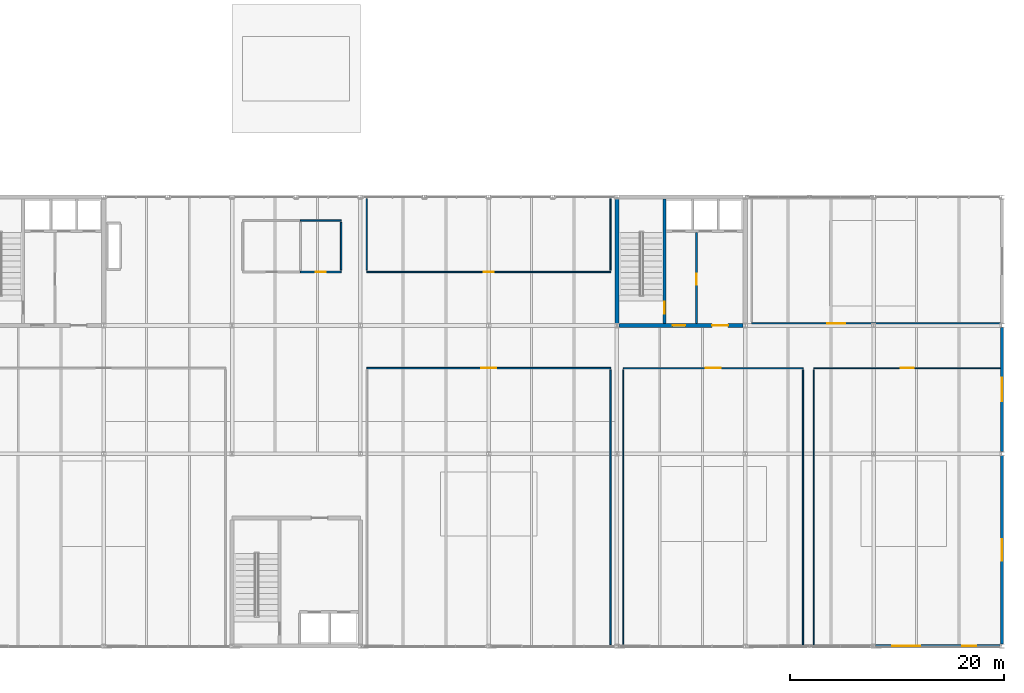
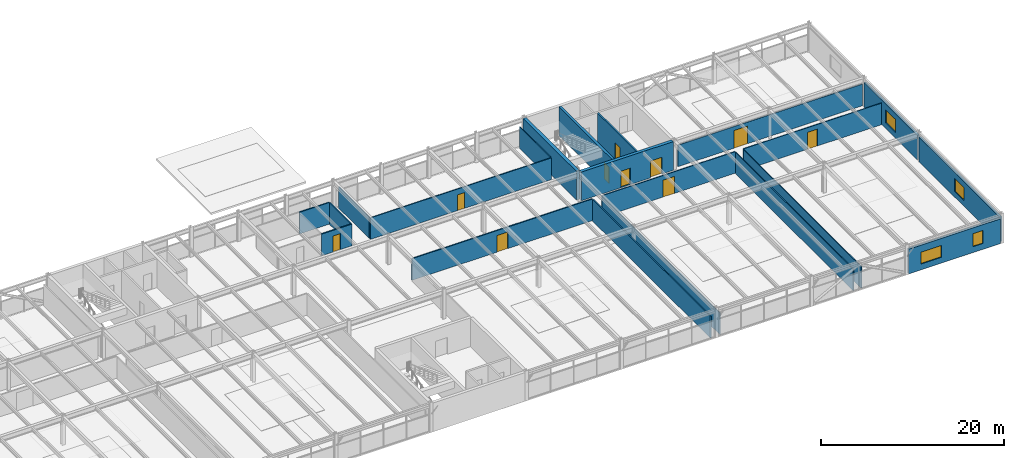
# One storey, part 42 of 49: 21 walls, 10 doors, 4 windows, 14 openings.
"""IFC4 building model written with IfcOpenShell, lengths in metres."""

from ifc_helpers import new_model, si_unit, direction, frame, frame_2d, origin, place, context, subcontext, project, spatial, rectangle, extrude, material, layer, layer_set, type_object, element, fill, save


model = new_model("IFC4")

# Units and contexts
model_context = context("Model", 3, precision=1e-05, world=origin(), true_north=direction((0.0, 1.0)))
body_context = subcontext(model_context, "Body", "Model", "MODEL_VIEW")
ifc_project = project(units=[si_unit("LENGTHUNIT", "METRE"), si_unit("AREAUNIT", "SQUARE_METRE"), si_unit("VOLUMEUNIT", "CUBIC_METRE"), si_unit("PLANEANGLEUNIT", "RADIAN"), si_unit("MASSUNIT", "GRAM", prefix="KILO")], contexts=[model_context])

# Site, building, storey
site_placement = place(None, origin())
site = spatial("IfcSite", under=ifc_project, at=site_placement, CompositionType="ELEMENT")
building_placement = place(site_placement, origin())
building = spatial("IfcBuilding", under=site, at=building_placement, Name="Girod Span Mobility Hub", CompositionType="ELEMENT")
storey_placement = place(building_placement, frame((0.0, 0.0, 37.60009765625)))
storey = spatial("IfcBuildingStorey", under=building, at=storey_placement, Name="L09", CompositionType="ELEMENT", Elevation=37.60009765625)

# Wall, openings, doors
ifc_material_1 = material(Name="Concrete C40/50", Category="concrete")
ifc_layer_1 = layer(ifc_material_1, 0.39990234375)
ifc_layer_set_1 = layer_set([ifc_layer_1], Name="Concrete C40/50")
wall_type_1 = type_object("IfcWallType", Name="W-CW-400", PredefinedType="SHEAR", material=ifc_layer_set_1)
wall_1_placement = place(storey_placement, frame((108.196533203125, 57.0, 0.0), z_axis=(0.0, 0.0, 1.0), x_axis=(1.0, 0.0, 0.0)))
wall_1 = element("IfcWall", 1, at=wall_1_placement, inside=storey, type_object=wall_type_1, Name="Core C2 Shear Wall S L09", PredefinedType="SHEAR", context=body_context, shape_type="SweptSolid", body=[
    extrude(rectangle(XDim=11.60693359375, YDim=0.39990234375, at=frame_2d((5.803466796875, 0.0))), origin(), (0.0, 0.0, 1.0), 3.837890625),
])
opening_1_placement = place(wall_1_placement, frame((5.00390625, 0.0, 0.0)))
opening_1 = element("IfcOpeningElement", 2, at=opening_1_placement, cuts=wall_1, Name="Opening D-FL-C2-L09", PredefinedType="OPENING", context=body_context, shape_type="SweptSolid", body=[
    extrude(rectangle(XDim=1.199951171875, YDim=2.199951171875, at=frame_2d((0.60009765625, 1.10009765625))), frame((0.0, 0.21484375, 0.0), z_axis=(0.0, -1.0, 0.0), x_axis=(1.0, 0.0, 0.0)), (0.0, 0.0, 1.0), 0.429931640625),
])
opening_2_placement = place(wall_1_placement, frame((8.7041015625, 0.0, 0.0)))
opening_2 = element("IfcOpeningElement", 3, at=opening_2_placement, cuts=wall_1, Name="Opening D-LB-C2-L09", PredefinedType="OPENING", context=body_context, shape_type="SweptSolid", body=[
    extrude(rectangle(XDim=1.5, YDim=2.25, at=frame_2d((0.75, 1.125))), frame((0.0, 0.21484375, 0.0), z_axis=(0.0, -1.0, 0.0), x_axis=(1.0, 0.0, 0.0)), (0.0, 0.0, 1.0), 0.429931640625),
])
ifc_material_2 = material(Name="Fire-Rated Insulated Hollow Metal Steel", Category="steel")
door_type_1 = type_object("IfcDoorType", Name="DT-FD-03", OperationType="DOUBLE_DOOR_SINGLE_SWING", PredefinedType="DOOR", material=ifc_material_2)
door_1_placement = place(opening_2_placement, origin())
door_1 = element("IfcDoor", 4, at=door_1_placement, inside=storey, type_object=door_type_1, Name="Lift Lobby Entry Door C2 L09", OperationType="DOUBLE_DOOR_SINGLE_SWING", OverallHeight=2.25, OverallWidth=1.5, PredefinedType="DOOR", context=body_context, shape_type="SweptSolid", body=[
    extrude(rectangle(XDim=1.5, YDim=2.25, at=frame_2d((0.75, 1.125))), frame((0.0, 0.02490234375, 0.0), z_axis=(0.0, -1.0, 0.0), x_axis=(1.0, 0.0, 0.0)), (0.0, 0.0, 1.0), 0.050048828125),
])
fill(opening_2, door_1)
ifc_material_3 = material(Name="Fire-Rated Insulated Hollow Metal Steel", Category="steel")
door_type_2 = type_object("IfcDoorType", Name="DT-FD-05", OperationType="NOTDEFINED", PredefinedType="DOOR", material=ifc_material_3)
door_2_placement = place(opening_1_placement, origin())
door_2 = element("IfcDoor", 5, at=door_2_placement, inside=storey, type_object=door_type_2, Name="Firefighting Lobby Entry Door C2 L09", OperationType="SINGLE_SWING_RIGHT", OverallHeight=2.199951171875, OverallWidth=1.199951171875, PredefinedType="DOOR", context=body_context, shape_type="SweptSolid", body=[
    extrude(rectangle(XDim=1.199951171875, YDim=2.199951171875, at=frame_2d((0.60009765625, 1.10009765625))), frame((0.0, 0.02490234375, 0.0), z_axis=(0.0, -1.0, 0.0), x_axis=(1.0, 0.0, 0.0)), (0.0, 0.0, 1.0), 0.050048828125),
])
fill(opening_1, door_2)

# Wall
wall_2_placement = place(storey_placement, frame((108.0, 57.193603515625, 0.0), z_axis=(0.0, 0.0, 1.0), x_axis=(0.0, 1.0, 0.0)))
element("IfcWall", 6, at=wall_2_placement, inside=storey, type_object=wall_type_1, Name="Core C2 Shear Wall W L09", PredefinedType="SHEAR", context=body_context, shape_type="SweptSolid", body=[
    extrude(rectangle(XDim=11.61279296875, YDim=0.39990234375, at=frame_2d((5.806396484375, 0.0))), origin(), (0.0, 0.0, 1.0), 3.837890625),
])

# Wall, openings, windows
ifc_material_4 = material(Name="Precast Architectural Concrete C40/50", Category="concrete")
ifc_layer_2 = layer(ifc_material_4, 0.27001953125)
ifc_layer_set_2 = layer_set([ifc_layer_2], Name="Precast Architectural Concrete C40/50")
wall_type_2 = type_object("IfcWallType", Name="W-EXT-270", PredefinedType="SOLIDWALL", material=ifc_layer_set_2)
wall_3_placement = place(storey_placement, frame((132.195068359375, 27.0, 0.0), z_axis=(0.0, 0.0, 1.0), x_axis=(1.0, 0.0, 0.0)))
wall_3 = element("IfcWall", 7, at=wall_3_placement, inside=storey, type_object=wall_type_2, Name="Office Insulated Facade Wall S-12 L09", PredefinedType="SOLIDWALL", context=body_context, shape_type="SweptSolid", body=[
    extrude(rectangle(XDim=11.60986328125, YDim=0.27001953125, at=frame_2d((5.804931640625, 0.0))), origin(), (0.0, 0.0, 1.0), 3.291015625),
])
opening_3_placement = place(wall_3_placement, frame((1.5400390625, 0.0, 0.780029296875)))
opening_3 = element("IfcOpeningElement", 8, at=opening_3_placement, cuts=wall_3, Name="Opening W-L09-S11A", PredefinedType="OPENING", context=body_context, shape_type="SweptSolid", body=[
    extrude(rectangle(XDim=2.6201171875, YDim=1.580078125, at=frame_2d((1.31005859375, 0.7900390625))), frame((0.0, 0.14990234375, 0.0), z_axis=(0.0, -1.0, 0.0), x_axis=(1.0, 0.0, 0.0)), (0.0, 0.0, 1.0), 0.300048828125),
])
opening_4_placement = place(wall_3_placement, frame((8.1201171875, 0.0, 0.780029296875)))
opening_4 = element("IfcOpeningElement", 9, at=opening_4_placement, cuts=wall_3, Name="Opening W-L09-S11B", PredefinedType="OPENING", context=body_context, shape_type="SweptSolid", body=[
    extrude(rectangle(XDim=1.280029296875, YDim=1.739990234375, at=frame_2d((0.64013671875, 0.8701171875))), frame((0.0, 0.14990234375, 0.0), z_axis=(0.0, -1.0, 0.0), x_axis=(1.0, 0.0, 0.0)), (0.0, 0.0, 1.0), 0.300048828125),
])
ifc_material_5 = material(Name="Double Low-E Insulated Glazing", Category="glass")
window_type_1 = type_object("IfcWindowType", Name="WN-30", PartitioningType="DOUBLE_PANEL_VERTICAL", PredefinedType="WINDOW", material=ifc_material_5)
window_1_placement = place(opening_3_placement, origin())
window_1 = element("IfcWindow", 10, at=window_1_placement, inside=storey, type_object=window_type_1, Name="Office Window WN-30", OverallHeight=1.580078125, OverallWidth=2.6201171875, PartitioningType="DOUBLE_PANEL_VERTICAL", PredefinedType="WINDOW", context=body_context, shape_type="SweptSolid", body=[
    extrude(rectangle(XDim=2.6201171875, YDim=1.580078125, at=frame_2d((1.31005859375, 0.7900390625))), frame((0.0, 0.030029296875, 0.0), z_axis=(0.0, -1.0, 0.0), x_axis=(1.0, 0.0, 0.0)), (0.0, 0.0, 1.0), 0.06005859375),
])
fill(opening_3, window_1)
ifc_material_6 = material(Name="Double Low-E Insulated Glazing", Category="glass")
window_type_2 = type_object("IfcWindowType", Name="WN-31", PartitioningType="SINGLE_PANEL", PredefinedType="WINDOW", material=ifc_material_6)
window_2_placement = place(opening_4_placement, origin())
window_2 = element("IfcWindow", 11, at=window_2_placement, inside=storey, type_object=window_type_2, Name="Office Window WN-31", OverallHeight=1.739990234375, OverallWidth=1.280029296875, PartitioningType="SINGLE_PANEL", PredefinedType="WINDOW", context=body_context, shape_type="SweptSolid", body=[
    extrude(rectangle(XDim=1.280029296875, YDim=1.739990234375, at=frame_2d((0.64013671875, 0.8701171875))), frame((0.0, 0.030029296875, 0.0), z_axis=(0.0, -1.0, 0.0), x_axis=(1.0, 0.0, 0.0)), (0.0, 0.0, 1.0), 0.06005859375),
])
fill(opening_4, window_2)

# Wall, opening, window
wall_4_placement = place(storey_placement, frame((144.0, 27.185546875, 0.0), z_axis=(0.0, 0.0, 1.0), x_axis=(0.0, 1.0, 0.0)))
wall_4 = element("IfcWall", 12, at=wall_4_placement, inside=storey, type_object=wall_type_2, Name="End Facade Insulated Wall E-C L09", PredefinedType="SOLIDWALL", context=body_context, shape_type="SweptSolid", body=[
    extrude(rectangle(XDim=17.62890625, YDim=0.27001953125, at=frame_2d((8.814453125, 0.0))), origin(), (0.0, 0.0, 1.0), 3.291015625),
])
opening_5_placement = place(wall_4_placement, frame((7.794921875, 0.0, 0.780029296875)))
opening_5 = element("IfcOpeningElement", 13, at=opening_5_placement, cuts=wall_4, Name="Opening W-L09-E2", PredefinedType="OPENING", context=body_context, shape_type="SweptSolid", body=[
    extrude(rectangle(XDim=2.0400390625, YDim=1.739990234375, at=frame_2d((1.02001953125, 0.8701171875))), frame((0.0, 0.14990234375, 0.0), z_axis=(0.0, -1.0, 0.0), x_axis=(1.0, 0.0, 0.0)), (0.0, 0.0, 1.0), 0.300048828125),
])
ifc_material_7 = material(Name="Double Low-E Insulated Glazing", Category="glass")
window_type_3 = type_object("IfcWindowType", Name="WN-35", PartitioningType="DOUBLE_PANEL_VERTICAL", PredefinedType="WINDOW", material=ifc_material_7)
window_3_placement = place(opening_5_placement, origin())
window_3 = element("IfcWindow", 14, at=window_3_placement, inside=storey, type_object=window_type_3, Name="End Office Window WN-35", OverallHeight=1.739990234375, OverallWidth=2.0400390625, PartitioningType="DOUBLE_PANEL_VERTICAL", PredefinedType="WINDOW", context=body_context, shape_type="SweptSolid", body=[
    extrude(rectangle(XDim=2.0400390625, YDim=1.739990234375, at=frame_2d((1.02001953125, 0.8701171875))), frame((0.0, 0.030029296875, 0.0), z_axis=(0.0, -1.0, 0.0), x_axis=(1.0, 0.0, 0.0)), (0.0, 0.0, 1.0), 0.06005859375),
])
fill(opening_5, window_3)

wall_5_placement = place(storey_placement, frame((144.0, 45.185546875, 0.0), z_axis=(0.0, 0.0, 1.0), x_axis=(0.0, 1.0, 0.0)))
wall_5 = element("IfcWall", 15, at=wall_5_placement, inside=storey, type_object=wall_type_2, Name="End Facade Insulated Wall E-D L09", PredefinedType="SOLIDWALL", context=body_context, shape_type="SweptSolid", body=[
    extrude(rectangle(XDim=11.62890625, YDim=0.27001953125, at=frame_2d((5.814453125, 0.0))), origin(), (0.0, 0.0, 1.0), 3.291015625),
])
opening_6_placement = place(wall_5_placement, frame((4.7041015625, 0.0, 0.780029296875)))
opening_6 = element("IfcOpeningElement", 16, at=opening_6_placement, cuts=wall_5, Name="Opening W-L09-E3", PredefinedType="OPENING", context=body_context, shape_type="SweptSolid", body=[
    extrude(rectangle(XDim=2.219970703125, YDim=1.739990234375, at=frame_2d((1.10986328125, 0.8701171875))), frame((0.0, 0.14990234375, 0.0), z_axis=(0.0, -1.0, 0.0), x_axis=(1.0, 0.0, 0.0)), (0.0, 0.0, 1.0), 0.300048828125),
])
ifc_material_8 = material(Name="Double Low-E Insulated Glazing", Category="glass")
window_type_4 = type_object("IfcWindowType", Name="WN-36", PartitioningType="DOUBLE_PANEL_VERTICAL", PredefinedType="WINDOW", material=ifc_material_8)
window_4_placement = place(opening_6_placement, origin())
window_4 = element("IfcWindow", 17, at=window_4_placement, inside=storey, type_object=window_type_4, Name="End Office Window WN-36", OverallHeight=1.739990234375, OverallWidth=2.219970703125, PartitioningType="DOUBLE_PANEL_VERTICAL", PredefinedType="WINDOW", context=body_context, shape_type="SweptSolid", body=[
    extrude(rectangle(XDim=2.219970703125, YDim=1.739990234375, at=frame_2d((1.10986328125, 0.8701171875))), frame((0.0, 0.030029296875, 0.0), z_axis=(0.0, -1.0, 0.0), x_axis=(1.0, 0.0, 0.0)), (0.0, 0.0, 1.0), 0.06005859375),
])
fill(opening_6, window_4)

# Wall, opening, door
ifc_material_9 = material(Name="Concrete C40/50", Category="concrete")
ifc_layer_3 = layer(ifc_material_9, 0.18994140625)
ifc_layer_set_3 = layer_set([ifc_layer_3], Name="Concrete C40/50")
wall_type_3 = type_object("IfcWallType", Name="W-FL-190", PredefinedType="SOLIDWALL", material=ifc_layer_set_3)
wall_6_placement = place(storey_placement, frame((115.449951171875, 57.199951171875, 0.0), z_axis=(0.0, 0.0, 1.0), x_axis=(0.0, 1.0, 0.0)))
wall_6 = element("IfcWall", 18, at=wall_6_placement, inside=storey, type_object=wall_type_3, Name="Core C2 Firefighting Lobby Wall L09", PredefinedType="SOLIDWALL", context=body_context, shape_type="SweptSolid", body=[
    extrude(rectangle(XDim=8.47998046875, YDim=0.18994140625, at=frame_2d((4.239990234375, 0.0))), origin(), (0.0, 0.0, 1.0), 3.827880859375),
])
opening_7_placement = place(wall_6_placement, frame((3.60009765625, 0.0, 0.0)))
opening_7 = element("IfcOpeningElement", 19, at=opening_7_placement, cuts=wall_6, Name="Opening D-FLX-C2-L09", PredefinedType="OPENING", context=body_context, shape_type="SweptSolid", body=[
    extrude(rectangle(XDim=1.0400390625, YDim=2.179931640625, at=frame_2d((0.52001953125, 1.08984375))), frame((0.0, 0.10986328125, 0.0), z_axis=(0.0, -1.0, 0.0), x_axis=(1.0, 0.0, 0.0)), (0.0, 0.0, 1.0), 0.219970703125),
])
ifc_material_10 = material(Name="Fire-Rated Insulated Hollow Metal Steel", Category="steel")
door_type_3 = type_object("IfcDoorType", Name="DT-FD-02", OperationType="NOTDEFINED", PredefinedType="DOOR", material=ifc_material_10)
door_3_placement = place(opening_7_placement, origin())
door_3 = element("IfcDoor", 20, at=door_3_placement, inside=storey, type_object=door_type_3, Name="Firefighting Lobby Interconnect Door C2 L09", OperationType="SINGLE_SWING_RIGHT", OverallHeight=2.179931640625, OverallWidth=1.0400390625, PredefinedType="DOOR", context=body_context, shape_type="SweptSolid", body=[
    extrude(rectangle(XDim=1.0400390625, YDim=2.179931640625, at=frame_2d((0.52001953125, 1.08984375))), frame((0.0, 0.02490234375, 0.0), z_axis=(0.0, -1.0, 0.0), x_axis=(1.0, 0.0, 0.0)), (0.0, 0.0, 1.0), 0.050048828125),
])
fill(opening_7, door_3)

ifc_material_11 = material(Name="Gypsum Acoustic Operable Panel on Galvanised Steel Framing", Category="steel")
ifc_layer_4 = layer(ifc_material_11, 0.10791015625)
ifc_layer_set_4 = layer_set([ifc_layer_4], Name="Gypsum Acoustic Operable Panel on Galvanised Steel Framing")
wall_type_4 = type_object("IfcWallType", Name="W-MOV-108", PredefinedType="MOVABLE", material=ifc_layer_set_4)
wall_7_placement = place(storey_placement, frame((108.60009765625, 53.0, 0.0), z_axis=(0.0, 0.0, 1.0), x_axis=(1.0, 0.0, 0.0)))
wall_7 = element("IfcWall", 21, at=wall_7_placement, inside=storey, type_object=wall_type_4, Name="Conference Room East L09 Partition N", PredefinedType="MOVABLE", context=body_context, shape_type="SweptSolid", body=[
    extrude(rectangle(XDim=16.7998046875, YDim=0.10791015625, at=frame_2d((8.39990234375, 0.0))), origin(), (0.0, 0.0, 1.0), 2.8798828125),
])
opening_8_placement = place(wall_7_placement, frame((7.679931640625, 0.0, 0.0)))
opening_8 = element("IfcOpeningElement", 22, at=opening_8_placement, cuts=wall_7, Name="Opening D-L09-CONF-SE", PredefinedType="OPENING", context=body_context, shape_type="SweptSolid", body=[
    extrude(rectangle(XDim=1.43994140625, YDim=2.260009765625, at=frame_2d((0.719970703125, 1.1298828125))), frame((0.0, 0.06884765625, 0.0), z_axis=(0.0, -1.0, 0.0), x_axis=(1.0, 0.0, 0.0)), (0.0, 0.0, 1.0), 0.137939453125),
])
ifc_material_12 = material(Name="Solid-Core Architectural Timber", Category="wood")
door_type_4 = type_object("IfcDoorType", Name="DT-NR-12", OperationType="DOUBLE_DOOR_SINGLE_SWING", PredefinedType="DOOR", material=ifc_material_12)
door_4_placement = place(opening_8_placement, origin())
door_4 = element("IfcDoor", 23, at=door_4_placement, inside=storey, type_object=door_type_4, Name="Conference Room East L09 Door", OperationType="DOUBLE_DOOR_SINGLE_SWING", OverallHeight=2.260009765625, OverallWidth=1.43994140625, PredefinedType="DOOR", context=body_context, shape_type="SweptSolid", body=[
    extrude(rectangle(XDim=1.43994140625, YDim=2.260009765625, at=frame_2d((0.719970703125, 1.1298828125))), frame((0.0, 0.02490234375, 0.0), z_axis=(0.0, -1.0, 0.0), x_axis=(1.0, 0.0, 0.0)), (0.0, 0.0, 1.0), 0.050048828125),
])
fill(opening_8, door_4)

# Walls
for number, where, z_axis, x_axis, name in (
    (24, (108.60009765625, 27.139892578125, 0.0), (0.0, 0.0, 1.0), (0.0, 1.0, 0.0), "Conference Room East L09 Partition W"),
    (25, (125.39990234375, 27.139892578125, 0.0), (0.0, 0.0, 1.0), (0.0, 1.0, 0.0), "Conference Room East L09 Partition E"),
):
    element("IfcWall", number, at=place(storey_placement, frame(where, z_axis=z_axis, x_axis=x_axis)), inside=storey, type_object=wall_type_4, Name=name, PredefinedType="MOVABLE", context=body_context, shape_type="SweptSolid", body=[
        extrude(rectangle(XDim=25.7001953125, YDim=0.10791015625, at=frame_2d((12.85009765625, 0.0))), origin(), (0.0, 0.0, 1.0), 2.8798828125),
    ])

# Wall, opening, door
ifc_material_13 = material(Name="Fire-Rated Gypsum Board on Metal Studs", Category="gypsum")
ifc_layer_5 = layer(ifc_material_13, 0.155029296875)
ifc_layer_set_5 = layer_set([ifc_layer_5], Name="Fire-Rated Gypsum Board on Metal Studs")
wall_type_5 = type_object("IfcWallType", Name="W-PLB-155", PredefinedType="PLUMBINGWALL", material=ifc_layer_set_5)
wall_8_placement = place(storey_placement, frame((78.39990234375, 62.0, 0.0), z_axis=(0.0, 0.0, 1.0), x_axis=(1.0, 0.0, 0.0)))
wall_8 = element("IfcWall", 26, at=wall_8_placement, inside=storey, type_object=wall_type_5, Name="Accessible WC L09 Partition S", PredefinedType="PLUMBINGWALL", context=body_context, shape_type="SweptSolid", body=[
    extrude(rectangle(XDim=3.800048828125, YDim=0.155029296875, at=frame_2d((1.89990234375, 0.0))), origin(), (0.0, 0.0, 1.0), 2.8798828125),
])
opening_9_placement = place(wall_8_placement, frame((1.425048828125, 0.0, 0.0)))
opening_9 = element("IfcOpeningElement", 27, at=opening_9_placement, cuts=wall_8, Name="Opening D-L09-WC-ACC", PredefinedType="OPENING", context=body_context, shape_type="SweptSolid", body=[
    extrude(rectangle(XDim=0.949951171875, YDim=2.1298828125, at=frame_2d((0.47509765625, 1.06494140625))), frame((0.0, 0.092529296875, 0.0), z_axis=(0.0, -1.0, 0.0), x_axis=(1.0, 0.0, 0.0)), (0.0, 0.0, 1.0), 0.18505859375),
])
ifc_material_14 = material(Name="Solid-Core Architectural Timber", Category="wood")
door_type_5 = type_object("IfcDoorType", Name="DT-NR-02", OperationType="NOTDEFINED", PredefinedType="DOOR", material=ifc_material_14)
door_5_placement = place(opening_9_placement, origin())
door_5 = element("IfcDoor", 28, at=door_5_placement, inside=storey, type_object=door_type_5, Name="Accessible WC L09 Door", OperationType="SINGLE_SWING_RIGHT", OverallHeight=2.1298828125, OverallWidth=0.949951171875, PredefinedType="DOOR", context=body_context, shape_type="SweptSolid", body=[
    extrude(rectangle(XDim=0.949951171875, YDim=2.1298828125, at=frame_2d((0.47509765625, 1.06494140625))), frame((0.0, 0.02490234375, 0.0), z_axis=(0.0, -1.0, 0.0), x_axis=(1.0, 0.0, 0.0)), (0.0, 0.0, 1.0), 0.050048828125),
])
fill(opening_9, door_5)

# Walls
wall_9_placement = place(storey_placement, frame((78.39990234375, 66.800048828125, 0.0), z_axis=(0.0, 0.0, 1.0), x_axis=(1.0, 0.0, 0.0)))
element("IfcWall", 29, at=wall_9_placement, inside=storey, type_object=wall_type_5, Name="Accessible WC L09 Partition N", PredefinedType="PLUMBINGWALL", context=body_context, shape_type="SweptSolid", body=[
    extrude(rectangle(XDim=3.800048828125, YDim=0.155029296875, at=frame_2d((1.89990234375, 0.0))), origin(), (0.0, 0.0, 1.0), 2.8798828125),
])
wall_10_placement = place(storey_placement, frame((82.199951171875, 62.159912109375, 0.0), z_axis=(0.0, 0.0, 1.0), x_axis=(0.0, 1.0, 0.0)))
element("IfcWall", 30, at=wall_10_placement, inside=storey, type_object=wall_type_5, Name="Accessible WC L09 Partition E", PredefinedType="PLUMBINGWALL", context=body_context, shape_type="SweptSolid", body=[
    extrude(rectangle(XDim=4.47998046875, YDim=0.155029296875, at=frame_2d((2.239990234375, 0.0))), origin(), (0.0, 0.0, 1.0), 2.8798828125),
])

# Wall, opening, door
ifc_material_15 = material(Name="Fire-Rated Gypsum Board on Metal Studs", Category="gypsum")
ifc_layer_6 = layer(ifc_material_15, 0.097900390625)
ifc_layer_set_6 = layer_set([ifc_layer_6], Name="Fire-Rated Gypsum Board on Metal Studs")
wall_type_6 = type_object("IfcWallType", Name="W-PT-098", PredefinedType="PARTITIONING", material=ifc_layer_set_6)
wall_11_placement = place(storey_placement, frame((126.39990234375, 53.0, 0.0), z_axis=(0.0, 0.0, 1.0), x_axis=(1.0, 0.0, 0.0)))
wall_11 = element("IfcWall", 31, at=wall_11_placement, inside=storey, type_object=wall_type_6, Name="Office Suite South East L09 Partition N", PredefinedType="PARTITIONING", context=body_context, shape_type="SweptSolid", body=[
    extrude(rectangle(XDim=17.460205078125, YDim=0.097900390625, at=frame_2d((8.72998046875, 0.0))), origin(), (0.0, 0.0, 1.0), 2.8798828125),
])
opening_10_placement = place(wall_11_placement, frame((8.125, 0.0, 0.0)))
opening_10 = element("IfcOpeningElement", 32, at=opening_10_placement, cuts=wall_11, Name="Opening D-L09-OFF-SE2", PredefinedType="OPENING", context=body_context, shape_type="SweptSolid", body=[
    extrude(rectangle(XDim=1.2099609375, YDim=2.25, at=frame_2d((0.60498046875, 1.125))), frame((0.0, 0.06396484375, 0.0), z_axis=(0.0, -1.0, 0.0), x_axis=(1.0, 0.0, 0.0)), (0.0, 0.0, 1.0), 0.1279296875),
])
ifc_material_16 = material(Name="Solid-Core Architectural Timber", Category="wood")
door_type_6 = type_object("IfcDoorType", Name="DT-NR-08", OperationType="NOTDEFINED", PredefinedType="DOOR", material=ifc_material_16)
door_6_placement = place(opening_10_placement, origin())
door_6 = element("IfcDoor", 33, at=door_6_placement, inside=storey, type_object=door_type_6, Name="Office Suite South East L09 Door", OperationType="SINGLE_SWING_RIGHT", OverallHeight=2.25, OverallWidth=1.2099609375, PredefinedType="DOOR", context=body_context, shape_type="SweptSolid", body=[
    extrude(rectangle(XDim=1.2099609375, YDim=2.25, at=frame_2d((0.60498046875, 1.125))), frame((0.0, 0.02490234375, 0.0), z_axis=(0.0, -1.0, 0.0), x_axis=(1.0, 0.0, 0.0)), (0.0, 0.0, 1.0), 0.050048828125),
])
fill(opening_10, door_6)

# Wall
wall_12_placement = place(storey_placement, frame((126.39990234375, 27.139892578125, 0.0), z_axis=(0.0, 0.0, 1.0), x_axis=(0.0, 1.0, 0.0)))
element("IfcWall", 34, at=wall_12_placement, inside=storey, type_object=wall_type_6, Name="Office Suite South East L09 Partition W", PredefinedType="PARTITIONING", context=body_context, shape_type="SweptSolid", body=[
    extrude(rectangle(XDim=25.7001953125, YDim=0.097900390625, at=frame_2d((12.85009765625, 0.0))), origin(), (0.0, 0.0, 1.0), 2.8798828125),
])

# Wall, opening, door
ifc_material_17 = material(Name="Fire-Rated Gypsum Board on Metal Studs", Category="gypsum")
ifc_layer_7 = layer(ifc_material_17, 0.114990234375)
ifc_layer_set_7 = layer_set([ifc_layer_7], Name="Fire-Rated Gypsum Board on Metal Studs")
wall_type_7 = type_object("IfcWallType", Name="W-PT-115", PredefinedType="PARTITIONING", material=ifc_layer_set_7)
wall_13_placement = place(storey_placement, frame((84.60009765625, 62.0, 0.0), z_axis=(0.0, 0.0, 1.0), x_axis=(1.0, 0.0, 0.0)))
wall_13 = element("IfcWall", 35, at=wall_13_placement, inside=storey, type_object=wall_type_7, Name="Open Office North L09 Partition S", PredefinedType="PARTITIONING", context=body_context, shape_type="SweptSolid", body=[
    extrude(rectangle(XDim=22.7998046875, YDim=0.114990234375, at=frame_2d((11.39990234375, 0.0))), origin(), (0.0, 0.0, 1.0), 2.8798828125),
])
opening_11_placement = place(wall_13_placement, frame((10.93994140625, 0.0, 0.0)))
opening_11 = element("IfcOpeningElement", 36, at=opening_11_placement, cuts=wall_13, Name="Opening D-L09-OFF-NC", PredefinedType="OPENING", context=body_context, shape_type="SweptSolid", body=[
    extrude(rectangle(XDim=0.919921875, YDim=2.10009765625, at=frame_2d((0.4599609375, 1.050048828125))), frame((0.0, 0.072509765625, 0.0), z_axis=(0.0, -1.0, 0.0), x_axis=(1.0, 0.0, 0.0)), (0.0, 0.0, 1.0), 0.14501953125),
])
ifc_material_18 = material(Name="Solid-Core Architectural Timber", Category="wood")
door_type_7 = type_object("IfcDoorType", Name="DT-NR-01", OperationType="NOTDEFINED", PredefinedType="DOOR", material=ifc_material_18)
door_7_placement = place(opening_11_placement, origin())
door_7 = element("IfcDoor", 37, at=door_7_placement, inside=storey, type_object=door_type_7, Name="Open Office North L09 Door", OperationType="SINGLE_SWING_LEFT", OverallHeight=2.10009765625, OverallWidth=0.919921875, PredefinedType="DOOR", context=body_context, shape_type="SweptSolid", body=[
    extrude(rectangle(XDim=0.919921875, YDim=2.10009765625, at=frame_2d((0.4599609375, 1.050048828125))), frame((0.0, 0.02490234375, 0.0), z_axis=(0.0, -1.0, 0.0), x_axis=(1.0, 0.0, 0.0)), (0.0, 0.0, 1.0), 0.050048828125),
])
fill(opening_11, door_7)

# Walls
for number, where, z_axis, x_axis, name in (
    (38, (84.60009765625, 62.159912109375, 0.0), (0.0, 0.0, 1.0), (0.0, 1.0, 0.0), "Open Office North L09 Partition W"),
    (39, (107.39990234375, 62.159912109375, 0.0), (0.0, 0.0, 1.0), (0.0, 1.0, 0.0), "Open Office North L09 Partition E"),
):
    element("IfcWall", number, at=place(storey_placement, frame(where, z_axis=z_axis, x_axis=x_axis)), inside=storey, type_object=wall_type_7, Name=name, PredefinedType="PARTITIONING", context=body_context, shape_type="SweptSolid", body=[
        extrude(rectangle(XDim=6.7001953125, YDim=0.114990234375, at=frame_2d((3.35009765625, 0.0))), origin(), (0.0, 0.0, 1.0), 2.8798828125),
    ])

# Wall, opening, door
ifc_material_19 = material(Name="Fire-Rated Gypsum Board on Metal Studs", Category="gypsum")
ifc_layer_8 = layer(ifc_material_19, 0.125)
ifc_layer_set_8 = layer_set([ifc_layer_8], Name="Fire-Rated Gypsum Board on Metal Studs")
wall_type_8 = type_object("IfcWallType", Name="W-PT-125", PredefinedType="PARTITIONING", material=ifc_layer_set_8)
wall_14_placement = place(storey_placement, frame((120.60009765625, 57.199951171875, 0.0), z_axis=(0.0, 0.0, 1.0), x_axis=(1.0, 0.0, 0.0)))
wall_14 = element("IfcWall", 40, at=wall_14_placement, inside=storey, type_object=wall_type_8, Name="Engineering Studio East L09 Partition S", PredefinedType="PARTITIONING", context=body_context, shape_type="SweptSolid", body=[
    extrude(rectangle(XDim=23.260009765625, YDim=0.125, at=frame_2d((11.6298828125, 0.0))), origin(), (0.0, 0.0, 1.0), 2.8798828125),
])
opening_12_placement = place(wall_14_placement, frame((7.072998046875, 0.0, 0.0)))
opening_12 = element("IfcOpeningElement", 41, at=opening_12_placement, cuts=wall_14, Name="Opening D-L09-OFF-NE", PredefinedType="OPENING", context=body_context, shape_type="SweptSolid", body=[
    extrude(rectangle(XDim=1.669921875, YDim=2.35009765625, at=frame_2d((0.8349609375, 1.175048828125))), frame((0.0, 0.077392578125, 0.0), z_axis=(0.0, -1.0, 0.0), x_axis=(1.0, 0.0, 0.0)), (0.0, 0.0, 1.0), 0.155029296875),
])
ifc_material_20 = material(Name="Solid-Core Architectural Timber", Category="wood")
door_type_8 = type_object("IfcDoorType", Name="DT-NR-16", OperationType="DOUBLE_DOOR_SINGLE_SWING", PredefinedType="DOOR", material=ifc_material_20)
door_8_placement = place(opening_12_placement, origin())
door_8 = element("IfcDoor", 42, at=door_8_placement, inside=storey, type_object=door_type_8, Name="Engineering Studio East L09 Door", OperationType="DOUBLE_DOOR_SINGLE_SWING", OverallHeight=2.35009765625, OverallWidth=1.669921875, PredefinedType="DOOR", context=body_context, shape_type="SweptSolid", body=[
    extrude(rectangle(XDim=1.669921875, YDim=2.35009765625, at=frame_2d((0.8349609375, 1.175048828125))), frame((0.0, 0.02490234375, 0.0), z_axis=(0.0, -1.0, 0.0), x_axis=(1.0, 0.0, 0.0)), (0.0, 0.0, 1.0), 0.050048828125),
])
fill(opening_12, door_8)

ifc_material_21 = material(Name="Fire-Rated Gypsum Board on Metal Studs", Category="gypsum")
ifc_layer_9 = layer(ifc_material_21, 0.139892578125)
ifc_layer_set_9 = layer_set([ifc_layer_9], Name="Fire-Rated Gypsum Board on Metal Studs")
wall_type_9 = type_object("IfcWallType", Name="W-PT-140", PredefinedType="PARTITIONING", material=ifc_layer_set_9)
wall_15_placement = place(storey_placement, frame((84.60009765625, 53.0, 0.0), z_axis=(0.0, 0.0, 1.0), x_axis=(1.0, 0.0, 0.0)))
wall_15 = element("IfcWall", 43, at=wall_15_placement, inside=storey, type_object=wall_type_9, Name="Planning Studio South L09 Partition N", PredefinedType="PARTITIONING", context=body_context, shape_type="SweptSolid", body=[
    extrude(rectangle(XDim=22.7998046875, YDim=0.139892578125, at=frame_2d((11.39990234375, 0.0))), origin(), (0.0, 0.0, 1.0), 2.8798828125),
])
opening_13_placement = place(wall_15_placement, frame((10.7099609375, 0.0, 0.0)))
opening_13 = element("IfcOpeningElement", 44, at=opening_13_placement, cuts=wall_15, Name="Opening D-L09-OFF-SE1", PredefinedType="OPENING", context=body_context, shape_type="SweptSolid", body=[
    extrude(rectangle(XDim=1.3798828125, YDim=2.22998046875, at=frame_2d((0.68994140625, 1.114990234375))), frame((0.0, 0.0849609375, 0.0), z_axis=(0.0, -1.0, 0.0), x_axis=(1.0, 0.0, 0.0)), (0.0, 0.0, 1.0), 0.169921875),
])
ifc_material_22 = material(Name="Solid-Core Architectural Timber", Category="wood")
door_type_9 = type_object("IfcDoorType", Name="DT-NR-11", OperationType="DOUBLE_DOOR_SINGLE_SWING", PredefinedType="DOOR", material=ifc_material_22)
door_9_placement = place(opening_13_placement, origin())
door_9 = element("IfcDoor", 45, at=door_9_placement, inside=storey, type_object=door_type_9, Name="Planning Studio South L09 Door", OperationType="DOUBLE_DOOR_SINGLE_SWING", OverallHeight=2.22998046875, OverallWidth=1.3798828125, PredefinedType="DOOR", context=body_context, shape_type="SweptSolid", body=[
    extrude(rectangle(XDim=1.3798828125, YDim=2.22998046875, at=frame_2d((0.68994140625, 1.114990234375))), frame((0.0, 0.02490234375, 0.0), z_axis=(0.0, -1.0, 0.0), x_axis=(1.0, 0.0, 0.0)), (0.0, 0.0, 1.0), 0.050048828125),
])
fill(opening_13, door_9)

# Wall
wall_16_placement = place(storey_placement, frame((107.39990234375, 27.139892578125, 0.0), z_axis=(0.0, 0.0, 1.0), x_axis=(0.0, 1.0, 0.0)))
element("IfcWall", 46, at=wall_16_placement, inside=storey, type_object=wall_type_9, Name="Planning Studio South L09 Partition E", PredefinedType="PARTITIONING", context=body_context, shape_type="SweptSolid", body=[
    extrude(rectangle(XDim=25.7001953125, YDim=0.139892578125, at=frame_2d((12.85009765625, 0.0))), origin(), (0.0, 0.0, 1.0), 2.8798828125),
])

# Wall, opening, door
ifc_material_23 = material(Name="Concrete C40/50", Category="concrete")
ifc_layer_10 = layer(ifc_material_23, 0.300048828125)
ifc_layer_set_10 = layer_set([ifc_layer_10], Name="Concrete C40/50")
wall_type_10 = type_object("IfcWallType", Name="W-SH-300", PredefinedType="SHEAR", material=ifc_layer_set_10)
wall_17_placement = place(storey_placement, frame((112.449951171875, 57.197021484375, 0.0), z_axis=(0.0, 0.0, 1.0), x_axis=(0.0, 1.0, 0.0)))
wall_17 = element("IfcWall", 47, at=wall_17_placement, inside=storey, type_object=wall_type_10, Name="Core C2 Stairwell Spine Wall L09", PredefinedType="SHEAR", context=body_context, shape_type="SweptSolid", body=[
    extrude(rectangle(XDim=11.60595703125, YDim=0.300048828125, at=frame_2d((5.802978515625, 0.0))), origin(), (0.0, 0.0, 1.0), 3.837890625),
])
opening_14_placement = place(wall_17_placement, frame((0.89990234375, 0.0, 0.0)))
opening_14 = element("IfcOpeningElement", 48, at=opening_14_placement, cuts=wall_17, Name="Opening D-ST-2-L09", PredefinedType="OPENING", context=body_context, shape_type="SweptSolid", body=[
    extrude(rectangle(XDim=1.10009765625, YDim=2.199951171875, at=frame_2d((0.550048828125, 1.10009765625))), frame((0.0, 0.1650390625, 0.0), z_axis=(0.0, -1.0, 0.0), x_axis=(1.0, 0.0, 0.0)), (0.0, 0.0, 1.0), 0.330078125),
])
ifc_material_24 = material(Name="Fire-Rated Insulated Hollow Metal Steel", Category="steel")
door_type_10 = type_object("IfcDoorType", Name="DT-FD-01", OperationType="NOTDEFINED", PredefinedType="DOOR", material=ifc_material_24)
door_10_placement = place(opening_14_placement, origin())
door_10 = element("IfcDoor", 49, at=door_10_placement, inside=storey, type_object=door_type_10, Name="Stair ST-2 Fire Door L09", OperationType="SINGLE_SWING_LEFT", OverallHeight=2.199951171875, OverallWidth=1.10009765625, PredefinedType="DOOR", context=body_context, shape_type="SweptSolid", body=[
    extrude(rectangle(XDim=1.10009765625, YDim=2.199951171875, at=frame_2d((0.550048828125, 1.10009765625))), frame((0.0, 0.02490234375, 0.0), z_axis=(0.0, -1.0, 0.0), x_axis=(1.0, 0.0, 0.0)), (0.0, 0.0, 1.0), 0.050048828125),
])
fill(opening_14, door_10)

save(model, "model.ifc")
